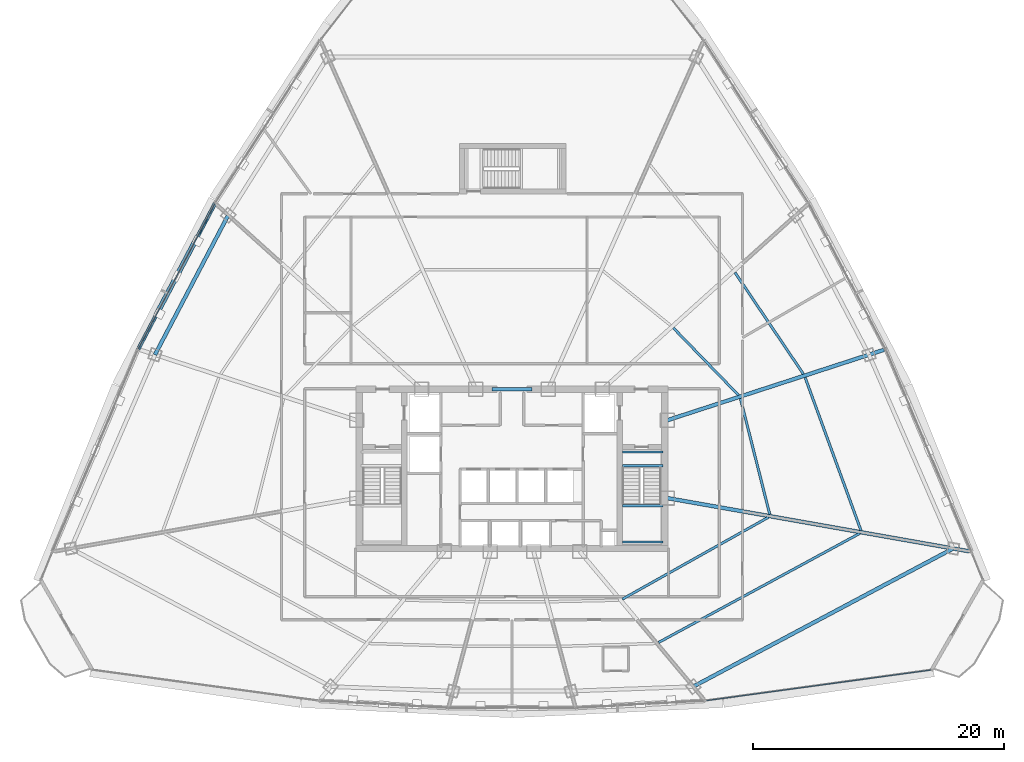
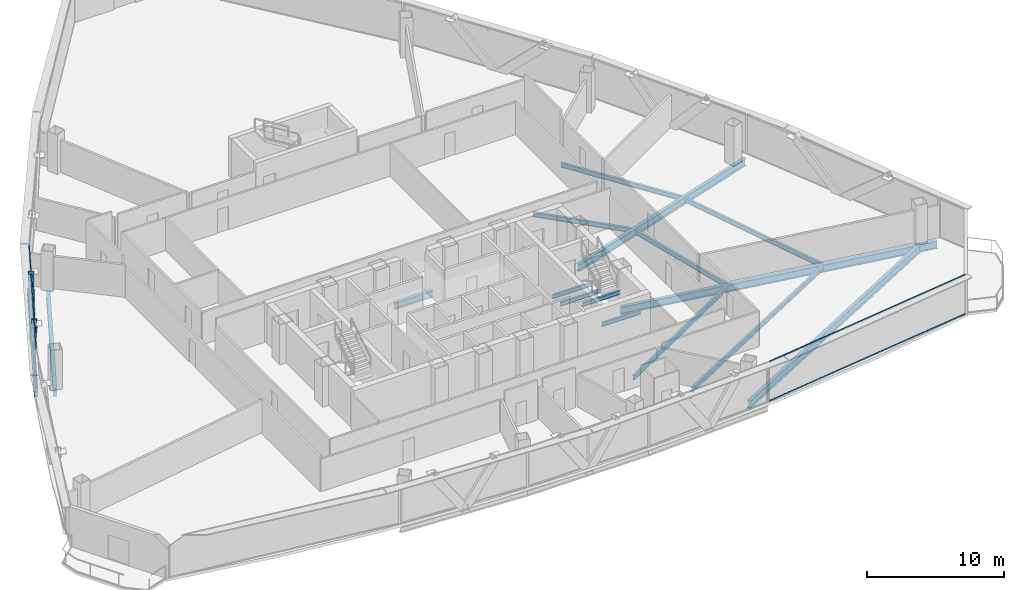
# One storey, part 15 of 36: 16 beams, 6 members, 2 elements without a shape of their own.
"""IFC4 building model written with IfcOpenShell, lengths in metres."""

from ifc_helpers import new_model, si_unit, direction, frame, origin, origin_2d, place, context, subcontext, project, spatial, hollow_rectangle, i_section, extrude, source, transform, mapped, material, layer, layer_set, material_profile, profile_set, type_object, element, aggregate, save


model = new_model("IFC4")

# Units and contexts
model_context = context("Model", 3, precision=1e-05, world=origin(), true_north=direction((0.0, 1.0)))
body_context = subcontext(model_context, "Body", "Model", "MODEL_VIEW")
ifc_project = project(units=[si_unit("LENGTHUNIT", "METRE"), si_unit("AREAUNIT", "SQUARE_METRE"), si_unit("VOLUMEUNIT", "CUBIC_METRE"), si_unit("PLANEANGLEUNIT", "RADIAN"), si_unit("MASSUNIT", "GRAM", prefix="KILO"), si_unit("THERMODYNAMICTEMPERATUREUNIT", "KELVIN"), si_unit("POWERUNIT", "WATT")], contexts=[model_context])

# Site, building, storey
site_placement = place(None, origin())
site = spatial("IfcSite", under=ifc_project, at=site_placement, CompositionType="ELEMENT")
building_placement = place(site_placement, origin())
building = spatial("IfcBuilding", under=site, at=building_placement, Name="Yunzhuo Pagoda Commons", CompositionType="ELEMENT")
storey_placement = place(building_placement, frame((0.0, 0.0, 215.159912109375)))
storey = spatial("IfcBuildingStorey", under=building, at=storey_placement, Name="L54", CompositionType="ELEMENT", Elevation=215.159912109375)

# Beams
ifc_material_1 = material(Name="Structural steel Q355B", Category="steel")
ifc_material_profile_1 = material_profile(ifc_material_1, i_section(OverallWidth=0.175048828125, OverallDepth=0.35009765625, WebThickness=0.007080078125, FlangeThickness=0.010986328125, at=origin_2d()), Name="Structural steel Q355B")
ifc_profile_set_1 = profile_set([ifc_material_profile_1], Name="Structural steel Q355B")
beam_type_1 = type_object("IfcBeamType", Name="B-JS2 Joist HN 350x175x7x11", PredefinedType="JOIST", material=ifc_profile_set_1)
shared_shape_1 = source(origin(), body_context, "Body", "SweptSolid", [
    extrude(i_section(OverallWidth=0.175048828125, OverallDepth=0.35009765625, WebThickness=0.007080078125, FlangeThickness=0.010986328125, at=origin_2d()), origin(), (0.0, 0.0, 1.0), 3.25),
])
for number, where, z_axis, x_axis, name in (
    (1, (56.800048828125, 28.0, 1.525146484375), (1.0, 0.0, 0.0), (0.0, 1.0, 0.0), "L54 ST2 landing support beam 60A"),
    (2, (56.800048828125, 30.89990234375, 1.525146484375), (1.0, 0.0, 0.0), (0.0, 1.0, 0.0), "L54 ST2 landing support beam 60B"),
    (3, (56.800048828125, 34.10009765625, -0.375), (1.0, 0.0, 0.0), (0.0, 1.0, 0.0), "L54 ST2 landing support beam 158A"),
    (4, (56.800048828125, 35.199951171875, -0.375), (1.0, 0.0, 0.0), (0.0, 1.0, 0.0), "L54 ST2 landing support beam 158B"),
):
    element("IfcBeam", number, at=place(storey_placement, frame(where, z_axis=z_axis, x_axis=x_axis)), inside=storey, type_object=beam_type_1, Name=name, PredefinedType="JOIST", context=body_context, shape_type="MappedRepresentation", body=[
        mapped(shared_shape_1, transform((0.0, 0.0, 0.0), scale=1.0)),
    ])
ifc_material_2 = material(Name="Structural steel Q420B", Category="steel")
ifc_material_profile_2 = material_profile(ifc_material_2, i_section(OverallWidth=0.300048828125, OverallDepth=0.587890625, WebThickness=0.011962890625, FlangeThickness=0.02001953125, at=origin_2d()), Name="Structural steel Q420B")
ifc_profile_set_2 = profile_set([ifc_material_profile_2], Name="Structural steel Q420B")
beam_type_2 = type_object("IfcBeamType", Name="B-CPL Beam HM 588x300x12x20", PredefinedType="BEAM", material=ifc_profile_set_2)
shared_shape_2 = source(origin(), body_context, "Body", "SweptSolid", [
    extrude(i_section(OverallWidth=0.300048828125, OverallDepth=0.587890625, WebThickness=0.011962890625, FlangeThickness=0.02001953125, at=origin_2d()), origin(), (0.0, 0.0, 1.0), 3.2001953125),
])
beam_1_placement = place(storey_placement, frame((46.39990234375, 40.199951171875, -0.553955078125), z_axis=(1.0, 0.0, 0.0), x_axis=(0.0, 1.0, 0.0)))
element("IfcBeam", 5, at=beam_1_placement, inside=storey, type_object=beam_type_2, Name="L54 core coupling girder", PredefinedType="BEAM", context=body_context, shape_type="MappedRepresentation", body=[
    mapped(shared_shape_2, transform((0.0, 0.0, 0.0), scale=1.0)),
])
ifc_material_profile_3 = material_profile(ifc_material_1, i_section(OverallWidth=0.300048828125, OverallDepth=0.64990234375, WebThickness=0.012939453125, FlangeThickness=0.02197265625, at=origin_2d()), Name="Structural steel Q355B")
ifc_profile_set_3 = profile_set([ifc_material_profile_3], Name="Structural steel Q355B")
beam_type_3 = type_object("IfcBeamType", Name="B-RG2 Beam HN 650x300x13x22", PredefinedType="BEAM", material=ifc_profile_set_3)
shared_shape_3 = source(origin(), body_context, "Body", "SweptSolid", [
    extrude(i_section(OverallWidth=0.300048828125, OverallDepth=0.64990234375, WebThickness=0.012939453125, FlangeThickness=0.02197265625, at=origin_2d()), origin(), (0.0, 0.0, 1.0), 23.49365234375),
])
beam_2_placement = place(storey_placement, frame((62.461181640625, 16.4658203125, -0.5849609375), z_axis=(0.883016269865, 0.469342377325, 0.0), x_axis=(-0.469342377325, 0.883016269865, 0.0)))
element("IfcBeam", 6, at=beam_2_placement, inside=storey, type_object=beam_type_3, Name="L54 column-ring beam 4", PredefinedType="BEAM", context=body_context, shape_type="MappedRepresentation", body=[
    mapped(shared_shape_3, transform((0.0, 0.0, 0.0), scale=1.0)),
])
shared_shape_4 = source(origin(), body_context, "Body", "SweptSolid", [
    extrude(i_section(OverallWidth=0.300048828125, OverallDepth=0.64990234375, WebThickness=0.012939453125, FlangeThickness=0.02197265625, at=origin_2d()), origin(), (0.0, 0.0, 1.0), 12.576416015625),
])
beam_3_placement = place(storey_placement, frame((25.349365234375, 54.0947265625, -0.5849609375), z_axis=(-0.464676385233, -0.885480579689, 0.0), x_axis=(0.885480579689, -0.464676385233, 0.0)))
element("IfcBeam", 7, at=beam_3_placement, inside=storey, type_object=beam_type_3, Name="L54 column-ring beam 10", PredefinedType="BEAM", context=body_context, shape_type="MappedRepresentation", body=[
    mapped(shared_shape_4, transform((0.0, 0.0, 0.0), scale=1.0)),
])
ifc_material_profile_4 = material_profile(ifc_material_1, i_section(OverallWidth=0.199951171875, OverallDepth=0.39990234375, WebThickness=0.008056640625, FlangeThickness=0.012939453125, at=origin_2d()), Name="Structural steel Q355B")
ifc_profile_set_4 = profile_set([ifc_material_profile_4], Name="Structural steel Q355B")
beam_type_4 = type_object("IfcBeamType", Name="B-JS1 Joist HN 400x200x8x13", PredefinedType="JOIST", material=ifc_profile_set_4)
shared_shape_5 = source(origin(), body_context, "Body", "SweptSolid", [
    extrude(i_section(OverallWidth=0.199951171875, OverallDepth=0.39990234375, WebThickness=0.008056640625, FlangeThickness=0.012939453125, at=origin_2d()), origin(), (0.0, 0.0, 1.0), 13.372802734375),
])
beam_4_placement = place(storey_placement, frame((56.80859375, 23.445556640625, -0.4599609375), z_axis=(0.872150261016, 0.4892381038, 0.0), x_axis=(-0.4892381038, 0.872150261016, 0.0)))
element("IfcBeam", 8, at=beam_4_placement, inside=storey, type_object=beam_type_4, Name="L54 composite ring joist 1.4", PredefinedType="JOIST", context=body_context, shape_type="MappedRepresentation", body=[
    mapped(shared_shape_5, transform((0.0, 0.0, 0.0), scale=1.0)),
])
shared_shape_6 = source(origin(), body_context, "Body", "SweptSolid", [
    extrude(i_section(OverallWidth=0.199951171875, OverallDepth=0.39990234375, WebThickness=0.008056640625, FlangeThickness=0.012939453125, at=origin_2d()), origin(), (0.0, 0.0, 1.0), 18.27294921875),
])
beam_5_placement = place(storey_placement, frame((59.705322265625, 19.992431640625, -0.4599609375), z_axis=(0.879067821824, 0.476696721861, 0.0), x_axis=(-0.476696721861, 0.879067821824, 0.0)))
element("IfcBeam", 9, at=beam_5_placement, inside=storey, type_object=beam_type_4, Name="L54 composite ring joist 2.4", PredefinedType="JOIST", context=body_context, shape_type="MappedRepresentation", body=[
    mapped(shared_shape_6, transform((0.0, 0.0, 0.0), scale=1.0)),
])
shared_shape_7 = source(origin(), body_context, "Body", "SweptSolid", [
    extrude(i_section(OverallWidth=0.199951171875, OverallDepth=0.39990234375, WebThickness=0.008056640625, FlangeThickness=0.012939453125, at=origin_2d()), origin(), (0.0, 0.0, 1.0), 9.529052734375),
])
beam_6_placement = place(storey_placement, frame((68.5712890625, 30.219970703125, -0.4599609375), z_axis=(-0.245367921097, 0.969430030119, 0.0), x_axis=(-0.969430030119, -0.245367921097, 0.0)))
element("IfcBeam", 10, at=beam_6_placement, inside=storey, type_object=beam_type_4, Name="L54 composite ring joist 1.5", PredefinedType="JOIST", context=body_context, shape_type="MappedRepresentation", body=[
    mapped(shared_shape_7, transform((0.0, 0.0, 0.0), scale=1.0)),
])
shared_shape_8 = source(origin(), body_context, "Body", "SweptSolid", [
    extrude(i_section(OverallWidth=0.199951171875, OverallDepth=0.39990234375, WebThickness=0.008056640625, FlangeThickness=0.012939453125, at=origin_2d()), origin(), (0.0, 0.0, 1.0), 12.994873046875),
])
beam_7_placement = place(storey_placement, frame((75.85400390625, 28.928466796875, -0.4599609375), z_axis=(-0.342834977914, 0.939395645039, 0.0), x_axis=(-0.939395645039, -0.342834977914, 0.0)))
element("IfcBeam", 11, at=beam_7_placement, inside=storey, type_object=beam_type_4, Name="L54 composite ring joist 2.5", PredefinedType="JOIST", context=body_context, shape_type="MappedRepresentation", body=[
    mapped(shared_shape_8, transform((0.0, 0.0, 0.0), scale=1.0)),
])
shared_shape_9 = source(origin(), body_context, "Body", "SweptSolid", [
    extrude(i_section(OverallWidth=0.199951171875, OverallDepth=0.39990234375, WebThickness=0.008056640625, FlangeThickness=0.012939453125, at=origin_2d()), origin(), (0.0, 0.0, 1.0), 7.46826171875),
])
beam_8_placement = place(storey_placement, frame((66.08349609375, 39.725830078125, -0.4599609375), z_axis=(-0.696070782679, 0.717973164889, 0.0), x_axis=(-0.717973164889, -0.696070782679, 0.0)))
element("IfcBeam", 12, at=beam_8_placement, inside=storey, type_object=beam_type_4, Name="L54 composite ring joist 1.6", PredefinedType="JOIST", context=body_context, shape_type="MappedRepresentation", body=[
    mapped(shared_shape_9, transform((0.0, 0.0, 0.0), scale=1.0)),
])
shared_shape_10 = source(origin(), body_context, "Body", "SweptSolid", [
    extrude(i_section(OverallWidth=0.199951171875, OverallDepth=0.39990234375, WebThickness=0.008056640625, FlangeThickness=0.012939453125, at=origin_2d()), origin(), (0.0, 0.0, 1.0), 9.764892578125),
])
beam_9_placement = place(storey_placement, frame((71.255615234375, 41.4169921875, -0.4599609375), z_axis=(-0.558548425455, 0.829471914185, 0.0), x_axis=(-0.829471914185, -0.558548425455, 0.0)))
element("IfcBeam", 13, at=beam_9_placement, inside=storey, type_object=beam_type_4, Name="L54 composite ring joist 2.6", PredefinedType="JOIST", context=body_context, shape_type="MappedRepresentation", body=[
    mapped(shared_shape_10, transform((0.0, 0.0, 0.0), scale=1.0)),
])
shared_shape_11 = source(origin(), body_context, "Body", "SweptSolid", [
    extrude(i_section(OverallWidth=0.300048828125, OverallDepth=0.64990234375, WebThickness=0.012939453125, FlangeThickness=0.02197265625, at=origin_2d()), origin(), (0.0, 0.0, 1.0), 24.494873046875),
])
beam_10_placement = place(storey_placement, frame((84.522705078125, 27.260009765625, -0.5849609375), z_axis=(-0.984808332492, 0.173644891239, 0.0), x_axis=(-0.173644891239, -0.984808332492, 0.0)))
element("IfcBeam", 14, at=beam_10_placement, inside=storey, type_object=beam_type_3, Name="L54 radial floor girder F2C1", PredefinedType="BEAM", context=body_context, shape_type="MappedRepresentation", body=[
    mapped(shared_shape_11, transform((0.0, 0.0, 0.0), scale=1.0)),
])
shared_shape_12 = source(origin(), body_context, "Body", "SweptSolid", [
    extrude(i_section(OverallWidth=0.300048828125, OverallDepth=0.64990234375, WebThickness=0.012939453125, FlangeThickness=0.02197265625, at=origin_2d()), origin(), (0.0, 0.0, 1.0), 18.180908203125),
])
beam_11_placement = place(storey_placement, frame((77.69091796875, 43.34716796875, -0.5849609375), z_axis=(-0.951056960539, -0.309015627131, 0.0), x_axis=(0.309015627131, -0.951056960539, 0.0)))
element("IfcBeam", 15, at=beam_11_placement, inside=storey, type_object=beam_type_3, Name="L54 radial floor girder F2C2", PredefinedType="BEAM", context=body_context, shape_type="MappedRepresentation", body=[
    mapped(shared_shape_12, transform((0.0, 0.0, 0.0), scale=1.0)),
])
ifc_material_profile_5 = material_profile(ifc_material_1, i_section(OverallWidth=0.300048828125, OverallDepth=0.488037109375, WebThickness=0.010986328125, FlangeThickness=0.01806640625, at=origin_2d()), Name="Structural steel Q355B")
ifc_profile_set_5 = profile_set([ifc_material_profile_5], Name="Structural steel Q355B")
beam_type_5 = type_object("IfcBeamType", Name="B-SP1 Beam HM 488x300x11x18", PredefinedType="BEAM", material=ifc_profile_set_5)
shared_shape_13 = source(origin(), body_context, "Body", "SweptSolid", [
    extrude(i_section(OverallWidth=0.300048828125, OverallDepth=0.488037109375, WebThickness=0.010986328125, FlangeThickness=0.01806640625, at=origin_2d()), origin(), (0.0, 0.0, 1.0), 13.16357421875),
])
beam_12_placement = place(storey_placement, frame((24.298095703125, 55.041259765625, -0.50390625), z_axis=(-0.466148454191, -0.884706515549, 0.0), x_axis=(0.884706515549, -0.466148454191, 0.0)))
element("IfcBeam", 16, at=beam_12_placement, inside=storey, type_object=beam_type_5, Name="L54 facade edge spandrel beam F3.2", PredefinedType="BEAM", context=body_context, shape_type="MappedRepresentation", body=[
    mapped(shared_shape_13, transform((0.0, 0.0, 0.0), scale=1.0)),
])

# Members
ifc_material_profile_6 = material_profile(ifc_material_1, hollow_rectangle(XDim=0.39990234375, YDim=0.719970703125, WallThickness=0.02392578125, at=origin_2d()), Name="Structural steel Q355B")
ifc_profile_set_6 = profile_set([ifc_material_profile_6], Name="Structural steel Q355B")
member_type_1 = type_object("IfcMemberType", Name="M-DL2 Brace BOX 720x400x24", PredefinedType="BRACE", material=ifc_profile_set_6)
shared_shape_14 = source(origin(), body_context, "Body", "SweptSolid", [
    extrude(hollow_rectangle(XDim=0.39990234375, YDim=0.719970703125, WallThickness=0.02392578125, at=origin_2d()), origin(), (0.0, 0.0, 1.0), 5.011962890625),
])
for number, where, z_axis, x_axis, name in (
    (17, (21.230224609375, 49.218017578125, -0.260009765625), (0.306058838764, 0.58094186075, 0.75421120493), (-0.884729871536, 0.466104124003, 0.0), "L54 facade diamond brace F3.2L"),
    (18, (21.230224609375, 49.218017578125, -0.260009765625), (-0.306155796434, -0.580892262923, 0.754210055081), (0.884652558499, -0.466250845297, 0.0), "L54 facade diamond brace F3.2R"),
):
    element("IfcMember", number, at=place(storey_placement, frame(where, z_axis=z_axis, x_axis=x_axis)), inside=storey, type_object=member_type_1, Name=name, PredefinedType="BRACE", context=body_context, shape_type="MappedRepresentation", body=[
        mapped(shared_shape_14, transform((0.0, 0.0, 0.0), scale=1.0)),
    ])

# Curtain wall, members
ifc_material_3 = material(Name="Anodized aluminium 6063-T6", Category="aluminium")
ifc_layer = layer(ifc_material_3, 0.14990234375)
ifc_layer_set = layer_set([ifc_layer], Name="Anodized aluminium 6063-T6")
curtain_wall_type = type_object("IfcCurtainWallType", Name="CW-MID Mid-Zone Ribbon Curtain Wall", PredefinedType="NOTDEFINED", material=ifc_layer_set)
curtain_wall_1_placement = place(storey_placement, origin())
curtain_wall_1 = element("IfcCurtainWall", 19, at=curtain_wall_1_placement, inside=storey, type_object=curtain_wall_type, Name="L54 curtain wall CW-L54-F1B5", PredefinedType="NOTDEFINED")
ifc_material_profile_7 = material_profile(ifc_material_3, hollow_rectangle(XDim=0.054931640625, YDim=0.1298828125, WallThickness=0.00341796875, at=origin_2d()), Name="Anodized aluminium 6063-T6")
ifc_profile_set_7 = profile_set([ifc_material_profile_7], Name="Anodized aluminium 6063-T6")
member_type_2 = type_object("IfcMemberType", Name="CW-MID-T Transom RHS 130x55x3.5", PredefinedType="USERDEFINED", material=ifc_profile_set_7)
shared_shape_15 = source(origin(), body_context, "Body", "SweptSolid", [
    extrude(hollow_rectangle(XDim=0.054931640625, YDim=0.1298828125, WallThickness=0.00341796875, at=origin_2d()), origin(), (0.0, 0.0, 1.0), 18.055908203125),
])
member_1_placement = place(storey_placement, frame((63.542724609375, 15.3544921875, 0.027587890625), z_axis=(0.990866089619, 0.134849517771, 0.0), x_axis=(-0.134849517771, 0.990866089619, 0.0)))
member_1 = element("IfcMember", 20, at=member_1_placement, type_object=member_type_2, Name="CW transom 1.1", ObjectType="TRANSOM", PredefinedType="USERDEFINED", context=body_context, shape_type="MappedRepresentation", body=[
    mapped(shared_shape_15, transform((0.0, 0.0, 0.0), scale=1.0)),
])
member_2_placement = place(storey_placement, frame((63.542724609375, 15.3544921875, 3.49267578125), z_axis=(0.990866089619, 0.134849517771, 0.0), x_axis=(-0.134849517771, 0.990866089619, 0.0)))
member_2 = element("IfcMember", 21, at=member_2_placement, type_object=member_type_2, Name="CW transom 1.2", ObjectType="TRANSOM", PredefinedType="USERDEFINED", context=body_context, shape_type="MappedRepresentation", body=[
    mapped(shared_shape_15, transform((0.0, 0.0, 0.0), scale=1.0)),
])
aggregate(curtain_wall_1, [member_1, member_2])

curtain_wall_2_placement = place(storey_placement, origin())
curtain_wall_2 = element("IfcCurtainWall", 22, at=curtain_wall_2_placement, inside=storey, type_object=curtain_wall_type, Name="L54 curtain wall CW-L54-F3B3", PredefinedType="NOTDEFINED")
shared_shape_16 = source(origin(), body_context, "Body", "SweptSolid", [
    extrude(hollow_rectangle(XDim=0.054931640625, YDim=0.1298828125, WallThickness=0.00341796875, at=origin_2d()), origin(), (0.0, 0.0, 1.0), 13.0439453125),
])
member_3_placement = place(storey_placement, frame((24.270263671875, 54.988037109375, 0.027587890625), z_axis=(-0.466158312333, -0.884701321262, 0.0), x_axis=(0.884701321262, -0.466158312333, 0.0)))
member_3 = element("IfcMember", 23, at=member_3_placement, type_object=member_type_2, Name="CW transom 1.1", ObjectType="TRANSOM", PredefinedType="USERDEFINED", context=body_context, shape_type="MappedRepresentation", body=[
    mapped(shared_shape_16, transform((0.0, 0.0, 0.0), scale=1.0)),
])
member_4_placement = place(storey_placement, frame((24.270263671875, 54.988037109375, 3.49267578125), z_axis=(-0.466158312333, -0.884701321262, 0.0), x_axis=(0.884701321262, -0.466158312333, 0.0)))
member_4 = element("IfcMember", 24, at=member_4_placement, type_object=member_type_2, Name="CW transom 1.2", ObjectType="TRANSOM", PredefinedType="USERDEFINED", context=body_context, shape_type="MappedRepresentation", body=[
    mapped(shared_shape_16, transform((0.0, 0.0, 0.0), scale=1.0)),
])
aggregate(curtain_wall_2, [member_3, member_4])

save(model, "model.ifc")
